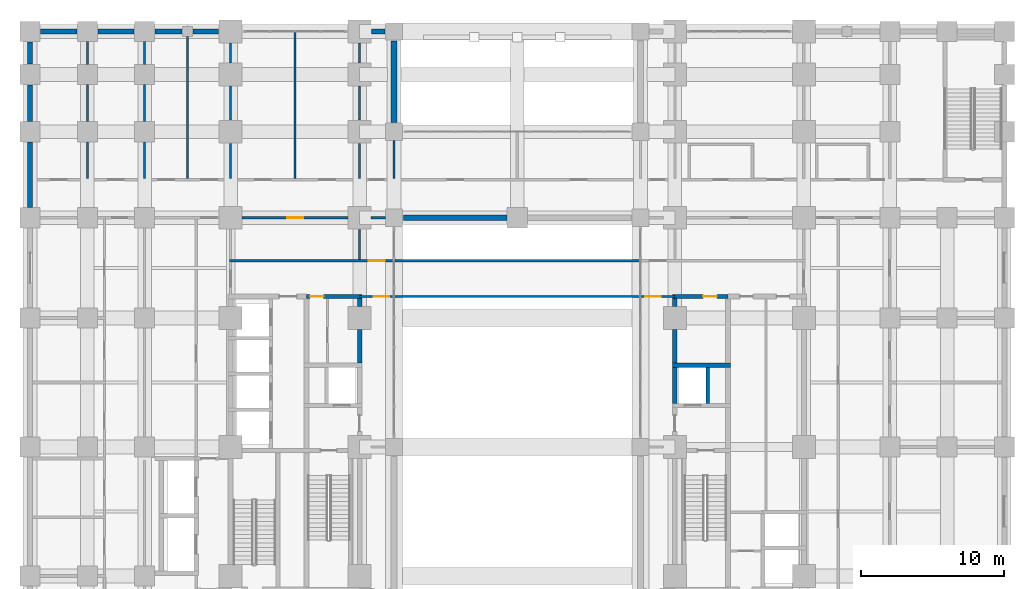
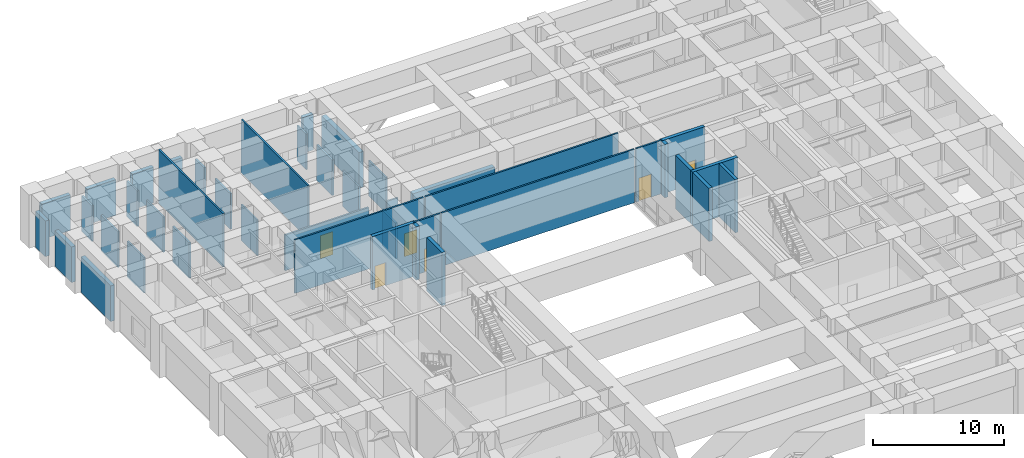
# One storey, part 15 of 24: 42 walls, 6 doors, 6 openings.
"""IFC4 building model written with IfcOpenShell, lengths in metres."""

from ifc_helpers import new_model, si_unit, direction, frame, frame_2d, origin, place, context, subcontext, project, spatial, rectangle, extrude, material, layer, layer_set, type_object, element, fill, save


model = new_model("IFC4")

# Units and contexts
model_context = context("Model", 3, precision=1e-05, world=origin(), true_north=direction((0.0, 1.0)))
body_context = subcontext(model_context, "Body", "Model", "MODEL_VIEW")
ifc_project = project(units=[si_unit("LENGTHUNIT", "METRE"), si_unit("AREAUNIT", "SQUARE_METRE"), si_unit("VOLUMEUNIT", "CUBIC_METRE"), si_unit("PLANEANGLEUNIT", "RADIAN"), si_unit("MASSUNIT", "GRAM", prefix="KILO")], contexts=[model_context])

# Site, building, storey
site_placement = place(None, origin())
site = spatial("IfcSite", under=ifc_project, at=site_placement, CompositionType="ELEMENT")
building_placement = place(site_placement, origin())
building = spatial("IfcBuilding", under=site, at=building_placement, Name="Zulmaris Gate Convention Tower", CompositionType="ELEMENT")
storey_placement = place(building_placement, frame((0.0, 0.0, 16.320068359375)))
storey = spatial("IfcBuildingStorey", under=building, at=storey_placement, Name="L03", CompositionType="ELEMENT", Elevation=16.320068359375)

# Walls
ifc_material_1 = material(Name="Concrete C50/60", Category="concrete")
ifc_layer_1 = layer(ifc_material_1, 0.25, Name="Concrete C50/60")
ifc_layer_set_1 = layer_set([ifc_layer_1], Name="Concrete C50/60")
wall_type_1 = type_object("IfcWallType", Name="CORE-250", PredefinedType="SOLIDWALL", material=ifc_layer_set_1)
wall_1_placement = place(storey_placement, frame((13.300048828125, 3.052001953125, 0.0), z_axis=(0.0, 0.0, 1.0), x_axis=(0.0, 1.0, 0.0)))
element("IfcWall", 1, at=wall_1_placement, inside=storey, type_object=wall_type_1, Name="WL-L03-098", PredefinedType="SOLIDWALL", context=body_context, shape_type="SweptSolid", body=[
    extrude(rectangle(XDim=2.49609375, YDim=0.25, at=frame_2d((1.248046875, 0.0))), origin(), (0.0, 0.0, 1.0), 4.989990234375),
])
ifc_layer_2 = layer(ifc_material_1, 0.300048828125, Name="Concrete C50/60")
ifc_layer_set_2 = layer_set([ifc_layer_2], Name="Concrete C50/60")
wall_type_2 = type_object("IfcWallType", Name="CORE-300", PredefinedType="SHEAR", material=ifc_layer_set_2)
wall_2_placement = place(storey_placement, frame((10.85009765625, 5.699951171875, 0.0), z_axis=(0.0, 0.0, 1.0), x_axis=(1.0, 0.0, 0.0)))
element("IfcWall", 2, at=wall_2_placement, inside=storey, type_object=wall_type_2, Name="WL-L03-021", PredefinedType="SHEAR", context=body_context, shape_type="SweptSolid", body=[
    extrude(rectangle(XDim=4.02490234375, YDim=0.300048828125, at=frame_2d((2.012451171875, 0.0))), origin(), (0.0, 0.0, 1.0), 4.989990234375),
])

# Wall, opening, door
wall_3_placement = place(storey_placement, frame((-14.699951171875, 10.5, 0.0), z_axis=(0.0, 0.0, 1.0), x_axis=(1.0, 0.0, 0.0)))
wall_3 = element("IfcWall", 3, at=wall_3_placement, inside=storey, type_object=wall_type_2, Name="WL-L03-024", PredefinedType="SHEAR", context=body_context, shape_type="SweptSolid", body=[
    extrude(rectangle(XDim=3.849853515625, YDim=0.300048828125, at=frame_2d((1.9248046875, 0.0))), origin(), (0.0, 0.0, 1.0), 4.989990234375),
])
opening_1_placement = place(wall_3_placement, frame((0.2451171875, 0.0, 0.0)))
opening_1 = element("IfcOpeningElement", 4, at=opening_1_placement, cuts=wall_3, Name="Opening D-11", PredefinedType="OPENING", context=body_context, shape_type="SweptSolid", body=[
    extrude(rectangle(XDim=0.949951171875, YDim=2.14990234375, at=frame_2d((0.47509765625, 1.074951171875))), frame((0.0, 0.16015625, 0.0), z_axis=(0.0, -1.0, 0.0), x_axis=(1.0, 0.0, 0.0)), (0.0, 0.0, 1.0), 0.320068359375),
])
ifc_material_2 = material(Name="Fire-Rated Timber", Category="wood")
door_type_1 = type_object("IfcDoorType", Name="DR-950-FD", OperationType="NOTDEFINED", PredefinedType="DOOR", material=ifc_material_2)
door_1_placement = place(opening_1_placement, origin())
door_1 = element("IfcDoor", 5, at=door_1_placement, inside=storey, type_object=door_type_1, Name="L03 Core Mail Room Door 07", OperationType="SINGLE_SWING_LEFT", OverallHeight=2.14990234375, OverallWidth=0.949951171875, PredefinedType="DOOR", context=body_context, shape_type="SweptSolid", body=[
    extrude(rectangle(XDim=0.949951171875, YDim=2.14990234375, at=frame_2d((0.47509765625, 1.074951171875))), frame((0.0, 0.02490234375, 0.0), z_axis=(0.0, -1.0, 0.0), x_axis=(1.0, 0.0, 0.0)), (0.0, 0.0, 1.0), 0.050048828125),
])
fill(opening_1, door_1)

wall_4_placement = place(storey_placement, frame((10.85009765625, 10.5, 0.0), z_axis=(0.0, 0.0, 1.0), x_axis=(1.0, 0.0, 0.0)))
wall_4 = element("IfcWall", 6, at=wall_4_placement, inside=storey, type_object=wall_type_2, Name="WL-L03-025", PredefinedType="SHEAR", context=body_context, shape_type="SweptSolid", body=[
    extrude(rectangle(XDim=3.849853515625, YDim=0.300048828125, at=frame_2d((1.9248046875, 0.0))), origin(), (0.0, 0.0, 1.0), 4.989990234375),
])
opening_2_placement = place(wall_4_placement, frame((2.125, 0.0, 0.0)))
opening_2 = element("IfcOpeningElement", 7, at=opening_2_placement, cuts=wall_4, Name="Opening D-11", PredefinedType="OPENING", context=body_context, shape_type="SweptSolid", body=[
    extrude(rectangle(XDim=0.949951171875, YDim=2.14990234375, at=frame_2d((0.47509765625, 1.074951171875))), frame((0.0, 0.16015625, 0.0), z_axis=(0.0, -1.0, 0.0), x_axis=(1.0, 0.0, 0.0)), (0.0, 0.0, 1.0), 0.320068359375),
])
door_2_placement = place(opening_2_placement, origin())
door_2 = element("IfcDoor", 8, at=door_2_placement, inside=storey, type_object=door_type_1, Name="L03 Core Tea Pantry Door 09", OperationType="SINGLE_SWING_LEFT", OverallHeight=2.14990234375, OverallWidth=0.949951171875, PredefinedType="DOOR", context=body_context, shape_type="SweptSolid", body=[
    extrude(rectangle(XDim=0.949951171875, YDim=2.14990234375, at=frame_2d((0.47509765625, 1.074951171875))), frame((0.0, 0.02490234375, 0.0), z_axis=(0.0, -1.0, 0.0), x_axis=(1.0, 0.0, 0.0)), (0.0, 0.0, 1.0), 0.050048828125),
])
fill(opening_2, door_2)

# Walls
wall_5_placement = place(storey_placement, frame((-11.0, 5.85205078125, 0.0), z_axis=(0.0, 0.0, 1.0), x_axis=(0.0, 1.0, 0.0)))
element("IfcWall", 9, at=wall_5_placement, inside=storey, type_object=wall_type_2, Name="WL-L03-092", PredefinedType="SHEAR", context=body_context, shape_type="SweptSolid", body=[
    extrude(rectangle(XDim=2.343994140625, YDim=0.300048828125, at=frame_2d((1.171875, 0.0))), origin(), (0.0, 0.0, 1.0), 4.989990234375),
])
wall_6_placement = place(storey_placement, frame((-11.0, 9.803955078125, 0.0), z_axis=(0.0, 0.0, 1.0), x_axis=(0.0, 1.0, 0.0)))
element("IfcWall", 10, at=wall_6_placement, inside=storey, type_object=wall_type_2, Name="WL-L03-092S1", PredefinedType="SHEAR", context=body_context, shape_type="SweptSolid", body=[
    extrude(rectangle(XDim=0.5439453125, YDim=0.300048828125, at=frame_2d((0.27197265625, 0.0))), origin(), (0.0, 0.0, 1.0), 4.989990234375),
])
wall_7_placement = place(storey_placement, frame((11.0, 3.052001953125, 0.0), z_axis=(0.0, 0.0, 1.0), x_axis=(0.0, 1.0, 0.0)))
element("IfcWall", 11, at=wall_7_placement, inside=storey, type_object=wall_type_2, Name="WL-L03-095", PredefinedType="SHEAR", context=body_context, shape_type="SweptSolid", body=[
    extrude(rectangle(XDim=2.49609375, YDim=0.300048828125, at=frame_2d((1.248046875, 0.0))), origin(), (0.0, 0.0, 1.0), 4.989990234375),
])
wall_8_placement = place(storey_placement, frame((11.0, 5.85205078125, 0.0), z_axis=(0.0, 0.0, 1.0), x_axis=(0.0, 1.0, 0.0)))
element("IfcWall", 12, at=wall_8_placement, inside=storey, type_object=wall_type_2, Name="WL-L03-096", PredefinedType="SHEAR", context=body_context, shape_type="SweptSolid", body=[
    extrude(rectangle(XDim=2.343994140625, YDim=0.300048828125, at=frame_2d((1.171875, 0.0))), origin(), (0.0, 0.0, 1.0), 4.989990234375),
])
wall_9_placement = place(storey_placement, frame((11.0, 9.803955078125, 0.0), z_axis=(0.0, 0.0, 1.0), x_axis=(0.0, 1.0, 0.0)))
element("IfcWall", 13, at=wall_9_placement, inside=storey, type_object=wall_type_2, Name="WL-L03-096S1", PredefinedType="SHEAR", context=body_context, shape_type="SweptSolid", body=[
    extrude(rectangle(XDim=0.5439453125, YDim=0.300048828125, at=frame_2d((0.27197265625, 0.0))), origin(), (0.0, 0.0, 1.0), 4.989990234375),
])

# Wall, opening, door
ifc_material_3 = material(Name="Gypsum Metal Stud Partition")
ifc_layer_3 = layer(ifc_material_3, 0.14990234375, Name="Gypsum Metal Stud Partition")
ifc_layer_set_3 = layer_set([ifc_layer_3], Name="Gypsum Metal Stud Partition")
wall_type_3 = type_object("IfcWallType", Name="PART-150", PredefinedType="PARTITIONING", material=ifc_layer_set_3)
wall_10_placement = place(storey_placement, frame((-11.0, 10.5, 0.0), z_axis=(0.0, 0.0, 1.0), x_axis=(1.0, 0.0, 0.0)))
wall_10 = element("IfcWall", 14, at=wall_10_placement, inside=storey, type_object=wall_type_3, Name="WL-L03-051", PredefinedType="PARTITIONING", context=body_context, shape_type="SweptSolid", body=[
    extrude(rectangle(XDim=2.340087890625, YDim=0.14990234375, at=frame_2d((1.169921875, 0.0))), origin(), (0.0, 0.0, 1.0), 4.989990234375),
])
opening_3_placement = place(wall_10_placement, frame((0.969970703125, 0.0, 0.0)))
opening_3 = element("IfcOpeningElement", 15, at=opening_3_placement, cuts=wall_10, Name="Opening D-08", PredefinedType="OPENING", context=body_context, shape_type="SweptSolid", body=[
    extrude(rectangle(XDim=1.10009765625, YDim=2.14990234375, at=frame_2d((0.550048828125, 1.074951171875))), frame((0.0, 0.0849609375, 0.0), z_axis=(0.0, -1.0, 0.0), x_axis=(1.0, 0.0, 0.0)), (0.0, 0.0, 1.0), 0.169921875),
])
ifc_material_4 = material(Name="Fire-Rated Steel", Category="steel")
door_type_2 = type_object("IfcDoorType", Name="DR-1100-FD", OperationType="NOTDEFINED", PredefinedType="DOOR", material=ifc_material_4)
door_3_placement = place(opening_3_placement, origin())
door_3 = element("IfcDoor", 16, at=door_3_placement, inside=storey, type_object=door_type_2, Name="L03 West Spine Core Door 38", OperationType="SINGLE_SWING_RIGHT", OverallHeight=2.14990234375, OverallWidth=1.10009765625, PredefinedType="DOOR", context=body_context, shape_type="SweptSolid", body=[
    extrude(rectangle(XDim=1.10009765625, YDim=2.14990234375, at=frame_2d((0.550048828125, 1.074951171875))), frame((0.0, 0.02490234375, 0.0), z_axis=(0.0, -1.0, 0.0), x_axis=(1.0, 0.0, 0.0)), (0.0, 0.0, 1.0), 0.050048828125),
])
fill(opening_3, door_3)

# Wall
wall_11_placement = place(storey_placement, frame((-8.5400390625, 10.5, 0.0), z_axis=(0.0, 0.0, 1.0), x_axis=(1.0, 0.0, 0.0)))
element("IfcWall", 17, at=wall_11_placement, inside=storey, type_object=wall_type_3, Name="WL-L03-052", PredefinedType="PARTITIONING", context=body_context, shape_type="SweptSolid", body=[
    extrude(rectangle(XDim=17.080078125, YDim=0.14990234375, at=frame_2d((8.5400390625, 0.0))), origin(), (0.0, 0.0, 1.0), 4.989990234375),
])

# Wall, opening, door
wall_12_placement = place(storey_placement, frame((8.659912109375, 10.5, 0.0), z_axis=(0.0, 0.0, 1.0), x_axis=(1.0, 0.0, 0.0)))
wall_12 = element("IfcWall", 18, at=wall_12_placement, inside=storey, type_object=wall_type_3, Name="WL-L03-053", PredefinedType="PARTITIONING", context=body_context, shape_type="SweptSolid", body=[
    extrude(rectangle(XDim=2.340087890625, YDim=0.14990234375, at=frame_2d((1.169921875, 0.0))), origin(), (0.0, 0.0, 1.0), 4.989990234375),
])
opening_4_placement = place(wall_12_placement, frame((0.27001953125, 0.0, 0.0)))
opening_4 = element("IfcOpeningElement", 19, at=opening_4_placement, cuts=wall_12, Name="Opening D-08", PredefinedType="OPENING", context=body_context, shape_type="SweptSolid", body=[
    extrude(rectangle(XDim=1.10009765625, YDim=2.14990234375, at=frame_2d((0.550048828125, 1.074951171875))), frame((0.0, 0.0849609375, 0.0), z_axis=(0.0, -1.0, 0.0), x_axis=(1.0, 0.0, 0.0)), (0.0, 0.0, 1.0), 0.169921875),
])
door_4_placement = place(opening_4_placement, origin())
door_4 = element("IfcDoor", 20, at=door_4_placement, inside=storey, type_object=door_type_2, Name="L03 East Spine Core Door 39", OperationType="SINGLE_SWING_LEFT", OverallHeight=2.14990234375, OverallWidth=1.10009765625, PredefinedType="DOOR", context=body_context, shape_type="SweptSolid", body=[
    extrude(rectangle(XDim=1.10009765625, YDim=2.14990234375, at=frame_2d((0.550048828125, 1.074951171875))), frame((0.0, 0.02490234375, 0.0), z_axis=(0.0, -1.0, 0.0), x_axis=(1.0, 0.0, 0.0)), (0.0, 0.0, 1.0), 0.050048828125),
])
fill(opening_4, door_4)

wall_13_placement = place(storey_placement, frame((-20.074951171875, 13.0, 0.0), z_axis=(0.0, 0.0, 1.0), x_axis=(1.0, 0.0, 0.0)))
wall_13 = element("IfcWall", 21, at=wall_13_placement, inside=storey, type_object=wall_type_3, Name="WL-L03-054", PredefinedType="PARTITIONING", context=body_context, shape_type="SweptSolid", body=[
    extrude(rectangle(XDim=11.4150390625, YDim=0.14990234375, at=frame_2d((5.70751953125, 0.0))), origin(), (0.0, 0.0, 1.0), 4.989990234375),
])
opening_5_placement = place(wall_13_placement, frame((9.72509765625, 0.0, 0.0)))
opening_5 = element("IfcOpeningElement", 22, at=opening_5_placement, cuts=wall_13, Name="Opening D-08", PredefinedType="OPENING", context=body_context, shape_type="SweptSolid", body=[
    extrude(rectangle(XDim=1.10009765625, YDim=2.14990234375, at=frame_2d((0.550048828125, 1.074951171875))), frame((0.0, 0.0849609375, 0.0), z_axis=(0.0, -1.0, 0.0), x_axis=(1.0, 0.0, 0.0)), (0.0, 0.0, 1.0), 0.169921875),
])
door_5_placement = place(opening_5_placement, origin())
door_5 = element("IfcDoor", 23, at=door_5_placement, inside=storey, type_object=door_type_2, Name="L03 West Spine North Door 36", OperationType="SINGLE_SWING_RIGHT", OverallHeight=2.14990234375, OverallWidth=1.10009765625, PredefinedType="DOOR", context=body_context, shape_type="SweptSolid", body=[
    extrude(rectangle(XDim=1.10009765625, YDim=2.14990234375, at=frame_2d((0.550048828125, 1.074951171875))), frame((0.0, 0.02490234375, 0.0), z_axis=(0.0, -1.0, 0.0), x_axis=(1.0, 0.0, 0.0)), (0.0, 0.0, 1.0), 0.050048828125),
])
fill(opening_5, door_5)

# Wall
wall_14_placement = place(storey_placement, frame((-8.5400390625, 13.0, 0.0), z_axis=(0.0, 0.0, 1.0), x_axis=(1.0, 0.0, 0.0)))
element("IfcWall", 24, at=wall_14_placement, inside=storey, type_object=wall_type_3, Name="WL-L03-055", PredefinedType="PARTITIONING", context=body_context, shape_type="SweptSolid", body=[
    extrude(rectangle(XDim=17.080078125, YDim=0.14990234375, at=frame_2d((8.5400390625, 0.0))), origin(), (0.0, 0.0, 1.0), 4.989990234375),
])

# Wall, opening, door
wall_15_placement = place(storey_placement, frame((-19.194091796875, 16.0, 0.0), z_axis=(0.0, 0.0, 1.0), x_axis=(1.0, 0.0, 0.0)))
wall_15 = element("IfcWall", 25, at=wall_15_placement, inside=storey, type_object=wall_type_3, Name="WL-L03-059", PredefinedType="PARTITIONING", context=body_context, shape_type="SweptSolid", body=[
    extrude(rectangle(XDim=7.38818359375, YDim=0.14990234375, at=frame_2d((3.694091796875, 0.0))), origin(), (0.0, 0.0, 1.0), 3.33203125),
])
opening_6_placement = place(wall_15_placement, frame((3.14404296875, 0.0, 0.0)))
opening_6 = element("IfcOpeningElement", 26, at=opening_6_placement, cuts=wall_15, Name="Opening D-21", PredefinedType="OPENING", context=body_context, shape_type="SweptSolid", body=[
    extrude(rectangle(XDim=1.10009765625, YDim=2.14990234375, at=frame_2d((0.550048828125, 1.074951171875))), frame((0.0, 0.0849609375, 0.0), z_axis=(0.0, -1.0, 0.0), x_axis=(1.0, 0.0, 0.0)), (0.0, 0.0, 1.0), 0.169921875),
])
ifc_material_5 = material(Name="Acoustic Hardwood Timber", Category="wood")
door_type_3 = type_object("IfcDoorType", Name="DR-1100", OperationType="NOTDEFINED", PredefinedType="DOOR", material=ifc_material_5)
door_6_placement = place(opening_6_placement, origin())
door_6 = element("IfcDoor", 27, at=door_6_placement, inside=storey, type_object=door_type_3, Name="L03 NW Breakout Salon Door 28", OperationType="SINGLE_SWING_RIGHT", OverallHeight=2.14990234375, OverallWidth=1.10009765625, PredefinedType="DOOR", context=body_context, shape_type="SweptSolid", body=[
    extrude(rectangle(XDim=1.10009765625, YDim=2.14990234375, at=frame_2d((0.550048828125, 1.074951171875))), frame((0.0, 0.02490234375, 0.0), z_axis=(0.0, -1.0, 0.0), x_axis=(1.0, 0.0, 0.0)), (0.0, 0.0, 1.0), 0.050048828125),
])
fill(opening_6, door_6)

# Walls
wall_16_placement = place(storey_placement, frame((-10.194091796875, 16.0, 0.0), z_axis=(0.0, 0.0, 1.0), x_axis=(1.0, 0.0, 0.0)))
element("IfcWall", 28, at=wall_16_placement, inside=storey, type_object=wall_type_3, Name="WL-L03-060", PredefinedType="PARTITIONING", context=body_context, shape_type="SweptSolid", body=[
    extrude(rectangle(XDim=0.988037109375, YDim=0.14990234375, at=frame_2d((0.494140625, 0.0))), origin(), (0.0, 0.0, 1.0), 3.33203125),
])
wall_17_placement = place(storey_placement, frame((-30.0, 18.72802734375, 0.0), z_axis=(0.0, 0.0, 1.0), x_axis=(0.0, 1.0, 0.0)))
element("IfcWall", 29, at=wall_17_placement, inside=storey, type_object=wall_type_3, Name="WL-L03-110", PredefinedType="PARTITIONING", context=body_context, shape_type="SweptSolid", body=[
    extrude(rectangle(XDim=2.56591796875, YDim=0.14990234375, at=frame_2d((1.282958984375, 0.0))), origin(), (0.0, 0.0, 1.0), 3.33203125),
])
wall_18_placement = place(storey_placement, frame((-30.0, 22.7060546875, 0.0), z_axis=(0.0, 0.0, 1.0), x_axis=(0.0, 1.0, 0.0)))
element("IfcWall", 30, at=wall_18_placement, inside=storey, type_object=wall_type_3, Name="WL-L03-110S1", PredefinedType="PARTITIONING", context=body_context, shape_type="SweptSolid", body=[
    extrude(rectangle(XDim=2.587890625, YDim=0.14990234375, at=frame_2d((1.2939453125, 0.0))), origin(), (0.0, 0.0, 1.0), 3.33203125),
])
wall_19_placement = place(storey_placement, frame((-30.0, 26.7060546875, 0.0), z_axis=(0.0, 0.0, 1.0), x_axis=(0.0, 1.0, 0.0)))
element("IfcWall", 31, at=wall_19_placement, inside=storey, type_object=wall_type_3, Name="WL-L03-110S2", PredefinedType="PARTITIONING", context=body_context, shape_type="SweptSolid", body=[
    extrude(rectangle(XDim=1.587890625, YDim=0.14990234375, at=frame_2d((0.7939453125, 0.0))), origin(), (0.0, 0.0, 1.0), 3.33203125),
])
wall_20_placement = place(storey_placement, frame((-26.0, 18.72802734375, 0.0), z_axis=(0.0, 0.0, 1.0), x_axis=(0.0, 1.0, 0.0)))
element("IfcWall", 32, at=wall_20_placement, inside=storey, type_object=wall_type_3, Name="WL-L03-122", PredefinedType="PARTITIONING", context=body_context, shape_type="SweptSolid", body=[
    extrude(rectangle(XDim=2.56591796875, YDim=0.14990234375, at=frame_2d((1.282958984375, 0.0))), origin(), (0.0, 0.0, 1.0), 3.33203125),
])
wall_21_placement = place(storey_placement, frame((-26.0, 22.7060546875, 0.0), z_axis=(0.0, 0.0, 1.0), x_axis=(0.0, 1.0, 0.0)))
element("IfcWall", 33, at=wall_21_placement, inside=storey, type_object=wall_type_3, Name="WL-L03-122S1", PredefinedType="PARTITIONING", context=body_context, shape_type="SweptSolid", body=[
    extrude(rectangle(XDim=2.587890625, YDim=0.14990234375, at=frame_2d((1.2939453125, 0.0))), origin(), (0.0, 0.0, 1.0), 3.33203125),
])
wall_22_placement = place(storey_placement, frame((-26.0, 26.7060546875, 0.0), z_axis=(0.0, 0.0, 1.0), x_axis=(0.0, 1.0, 0.0)))
element("IfcWall", 34, at=wall_22_placement, inside=storey, type_object=wall_type_3, Name="WL-L03-122S2", PredefinedType="PARTITIONING", context=body_context, shape_type="SweptSolid", body=[
    extrude(rectangle(XDim=1.587890625, YDim=0.14990234375, at=frame_2d((0.7939453125, 0.0))), origin(), (0.0, 0.0, 1.0), 3.33203125),
])
wall_23_placement = place(storey_placement, frame((-23.0, 18.72802734375, 0.0), z_axis=(0.0, 0.0, 1.0), x_axis=(0.0, 1.0, 0.0)))
element("IfcWall", 35, at=wall_23_placement, inside=storey, type_object=wall_type_3, Name="WL-L03-123", PredefinedType="PARTITIONING", context=body_context, shape_type="SweptSolid", body=[
    extrude(rectangle(XDim=9.916015625, YDim=0.14990234375, at=frame_2d((4.9580078125, 0.0))), origin(), (0.0, 0.0, 1.0), 4.989990234375),
])
wall_24_placement = place(storey_placement, frame((-20.0, 18.72802734375, 0.0), z_axis=(0.0, 0.0, 1.0), x_axis=(0.0, 1.0, 0.0)))
element("IfcWall", 36, at=wall_24_placement, inside=storey, type_object=wall_type_3, Name="WL-L03-131", PredefinedType="PARTITIONING", context=body_context, shape_type="SweptSolid", body=[
    extrude(rectangle(XDim=2.466064453125, YDim=0.14990234375, at=frame_2d((1.23291015625, 0.0))), origin(), (0.0, 0.0, 1.0), 3.33203125),
])
wall_25_placement = place(storey_placement, frame((-20.0, 22.805908203125, 0.0), z_axis=(0.0, 0.0, 1.0), x_axis=(0.0, 1.0, 0.0)))
element("IfcWall", 37, at=wall_25_placement, inside=storey, type_object=wall_type_3, Name="WL-L03-131S1", PredefinedType="PARTITIONING", context=body_context, shape_type="SweptSolid", body=[
    extrude(rectangle(XDim=2.38818359375, YDim=0.14990234375, at=frame_2d((1.194091796875, 0.0))), origin(), (0.0, 0.0, 1.0), 3.33203125),
])
wall_26_placement = place(storey_placement, frame((-20.0, 26.805908203125, 0.0), z_axis=(0.0, 0.0, 1.0), x_axis=(0.0, 1.0, 0.0)))
element("IfcWall", 38, at=wall_26_placement, inside=storey, type_object=wall_type_3, Name="WL-L03-131S2", PredefinedType="PARTITIONING", context=body_context, shape_type="SweptSolid", body=[
    extrude(rectangle(XDim=1.38818359375, YDim=0.14990234375, at=frame_2d((0.694091796875, 0.0))), origin(), (0.0, 0.0, 1.0), 3.33203125),
])
wall_27_placement = place(storey_placement, frame((-15.5, 18.72802734375, 0.0), z_axis=(0.0, 0.0, 1.0), x_axis=(0.0, 1.0, 0.0)))
element("IfcWall", 39, at=wall_27_placement, inside=storey, type_object=wall_type_3, Name="WL-L03-132", PredefinedType="PARTITIONING", context=body_context, shape_type="SweptSolid", body=[
    extrude(rectangle(XDim=10.2119140625, YDim=0.14990234375, at=frame_2d((5.10595703125, 0.0))), origin(), (0.0, 0.0, 1.0), 4.989990234375),
])
wall_28_placement = place(storey_placement, frame((-11.0, 13.077880859375, 0.0), z_axis=(0.0, 0.0, 1.0), x_axis=(0.0, 1.0, 0.0)))
element("IfcWall", 40, at=wall_28_placement, inside=storey, type_object=wall_type_3, Name="WL-L03-135", PredefinedType="PARTITIONING", context=body_context, shape_type="SweptSolid", body=[
    extrude(rectangle(XDim=2.1162109375, YDim=0.14990234375, at=frame_2d((1.05810546875, 0.0))), origin(), (0.0, 0.0, 1.0), 3.33203125),
])
wall_29_placement = place(storey_placement, frame((-11.0, 18.72802734375, 0.0), z_axis=(0.0, 0.0, 1.0), x_axis=(0.0, 1.0, 0.0)))
element("IfcWall", 41, at=wall_29_placement, inside=storey, type_object=wall_type_3, Name="WL-L03-136", PredefinedType="PARTITIONING", context=body_context, shape_type="SweptSolid", body=[
    extrude(rectangle(XDim=2.466064453125, YDim=0.14990234375, at=frame_2d((1.23291015625, 0.0))), origin(), (0.0, 0.0, 1.0), 3.33203125),
])
wall_30_placement = place(storey_placement, frame((-11.0, 22.805908203125, 0.0), z_axis=(0.0, 0.0, 1.0), x_axis=(0.0, 1.0, 0.0)))
element("IfcWall", 42, at=wall_30_placement, inside=storey, type_object=wall_type_3, Name="WL-L03-136S1", PredefinedType="PARTITIONING", context=body_context, shape_type="SweptSolid", body=[
    extrude(rectangle(XDim=2.38818359375, YDim=0.14990234375, at=frame_2d((1.194091796875, 0.0))), origin(), (0.0, 0.0, 1.0), 3.33203125),
])
wall_31_placement = place(storey_placement, frame((-11.0, 26.805908203125, 0.0), z_axis=(0.0, 0.0, 1.0), x_axis=(0.0, 1.0, 0.0)))
element("IfcWall", 43, at=wall_31_placement, inside=storey, type_object=wall_type_3, Name="WL-L03-136S2", PredefinedType="PARTITIONING", context=body_context, shape_type="SweptSolid", body=[
    extrude(rectangle(XDim=1.38818359375, YDim=0.14990234375, at=frame_2d((0.694091796875, 0.0))), origin(), (0.0, 0.0, 1.0), 3.33203125),
])
wall_32_placement = place(storey_placement, frame((-8.60009765625, 18.72802734375, 0.0), z_axis=(0.0, 0.0, 1.0), x_axis=(0.0, 1.0, 0.0)))
element("IfcWall", 44, at=wall_32_placement, inside=storey, type_object=wall_type_3, Name="WL-L03-137", PredefinedType="PARTITIONING", context=body_context, shape_type="SweptSolid", body=[
    extrude(rectangle(XDim=2.666015625, YDim=0.14990234375, at=frame_2d((1.3330078125, 0.0))), origin(), (0.0, 0.0, 1.0), 3.33203125),
])
ifc_material_6 = material(Name="Precast concrete C50/60", Category="concrete")
ifc_layer_4 = layer(ifc_material_6, 0.39990234375, Name="Precast concrete C50/60")
ifc_layer_set_4 = layer_set([ifc_layer_4], Name="Precast concrete C50/60")
wall_type_4 = type_object("IfcWallType", Name="PRECAST-ARCH-400", PredefinedType="STANDARD", material=ifc_layer_set_4)
wall_33_placement = place(storey_placement, frame((-7.949951171875, 16.0, 0.0), z_axis=(0.0, 0.0, 1.0), x_axis=(1.0, 0.0, 0.0)))
element("IfcWall", 45, at=wall_33_placement, inside=storey, type_object=wall_type_4, Name="EW-L03-ARCH-N_0", PredefinedType="STANDARD", context=body_context, shape_type="SweptSolid", body=[
    extrude(rectangle(XDim=7.219970703125, YDim=0.39990234375, at=frame_2d((3.60986328125, 0.0))), origin(), (0.0, 0.0, 1.0), 3.33203125),
])
wall_34_placement = place(storey_placement, frame((-8.60009765625, 22.6298828125, 0.0), z_axis=(0.0, 0.0, 1.0), x_axis=(0.0, 1.0, 0.0)))
element("IfcWall", 46, at=wall_34_placement, inside=storey, type_object=wall_type_4, Name="EW-L03-ARCH-NWS_0", PredefinedType="STANDARD", context=body_context, shape_type="SweptSolid", body=[
    extrude(rectangle(XDim=5.72021484375, YDim=0.39990234375, at=frame_2d((2.860107421875, 0.0))), origin(), (0.0, 0.0, 1.0), 3.33203125),
])
ifc_material_7 = material(Name="Precast concrete C45/55", Category="concrete")
ifc_layer_5 = layer(ifc_material_7, 0.35009765625, Name="Precast concrete C45/55")
ifc_layer_set_5 = layer_set([ifc_layer_5], Name="Precast concrete C45/55")
wall_type_5 = type_object("IfcWallType", Name="PRECAST-POD-350", PredefinedType="STANDARD", material=ifc_layer_set_5)
for number, where, z_axis, x_axis, name in (
    (47, (-30.72998046875, 29.0, 0.0), (0.0, 0.0, 1.0), (-1.0, 0.0, 0.0), "EW-L03-N--340_0"),
    (48, (-26.72998046875, 29.0, 0.0), (0.0, 0.0, 1.0), (-1.0, 0.0, 0.0), "EW-L03-N--300_0"),
):
    element("IfcWall", number, at=place(storey_placement, frame(where, z_axis=z_axis, x_axis=x_axis)), inside=storey, type_object=wall_type_5, Name=name, PredefinedType="STANDARD", context=body_context, shape_type="SweptSolid", body=[
        extrude(rectangle(XDim=2.5400390625, YDim=0.35009765625, at=frame_2d((1.27001953125, 0.0))), origin(), (0.0, 0.0, 1.0), 3.33203125),
    ])
wall_35_placement = place(storey_placement, frame((-23.3798828125, 29.0, 0.0), z_axis=(0.0, 0.0, 1.0), x_axis=(-1.0, 0.0, 0.0)))
element("IfcWall", 49, at=wall_35_placement, inside=storey, type_object=wall_type_5, Name="EW-L03-N--260_0", PredefinedType="STANDARD", context=body_context, shape_type="SweptSolid", body=[
    extrude(rectangle(XDim=1.89013671875, YDim=0.35009765625, at=frame_2d((0.945068359375, 0.0))), origin(), (0.0, 0.0, 1.0), 3.33203125),
])
wall_36_placement = place(storey_placement, frame((-20.830078125, 29.0, 0.0), z_axis=(0.0, 0.0, 1.0), x_axis=(-1.0, 0.0, 0.0)))
element("IfcWall", 50, at=wall_36_placement, inside=storey, type_object=wall_type_5, Name="EW-L03-N--230_0", PredefinedType="STANDARD", context=body_context, shape_type="SweptSolid", body=[
    extrude(rectangle(XDim=1.7900390625, YDim=0.35009765625, at=frame_2d((0.89501953125, 0.0))), origin(), (0.0, 0.0, 1.0), 3.33203125),
])
wall_37_placement = place(storey_placement, frame((-9.22998046875, 29.0, 0.0), z_axis=(0.0, 0.0, 1.0), x_axis=(-1.0, 0.0, 0.0)))
element("IfcWall", 51, at=wall_37_placement, inside=storey, type_object=wall_type_5, Name="EW-L03-N--110_0", PredefinedType="STANDARD", context=body_context, shape_type="SweptSolid", body=[
    extrude(rectangle(XDim=0.93994140625, YDim=0.35009765625, at=frame_2d((0.469970703125, 0.0))), origin(), (0.0, 0.0, 1.0), 3.33203125),
])
wall_38_placement = place(storey_placement, frame((-34.0, 16.72998046875, 0.0), z_axis=(0.0, 0.0, 1.0), x_axis=(0.0, 1.0, 0.0)))
element("IfcWall", 52, at=wall_38_placement, inside=storey, type_object=wall_type_5, Name="EW-L03-W-16_0", PredefinedType="STANDARD", context=body_context, shape_type="SweptSolid", body=[
    extrude(rectangle(XDim=4.5400390625, YDim=0.35009765625, at=frame_2d((2.27001953125, 0.0))), origin(), (0.0, 0.0, 1.0), 3.33203125),
])
wall_39_placement = place(storey_placement, frame((-34.0, 22.72998046875, 0.0), z_axis=(0.0, 0.0, 1.0), x_axis=(0.0, 1.0, 0.0)))
element("IfcWall", 53, at=wall_39_placement, inside=storey, type_object=wall_type_5, Name="EW-L03-W-22_0", PredefinedType="STANDARD", context=body_context, shape_type="SweptSolid", body=[
    extrude(rectangle(XDim=2.5400390625, YDim=0.35009765625, at=frame_2d((1.27001953125, 0.0))), origin(), (0.0, 0.0, 1.0), 3.33203125),
])
wall_40_placement = place(storey_placement, frame((-34.0, 26.72998046875, 0.0), z_axis=(0.0, 0.0, 1.0), x_axis=(0.0, 1.0, 0.0)))
element("IfcWall", 54, at=wall_40_placement, inside=storey, type_object=wall_type_5, Name="EW-L03-W-26_0", PredefinedType="STANDARD", context=body_context, shape_type="SweptSolid", body=[
    extrude(rectangle(XDim=1.5400390625, YDim=0.35009765625, at=frame_2d((0.77001953125, 0.0))), origin(), (0.0, 0.0, 1.0), 3.33203125),
])

save(model, "model.ifc")
